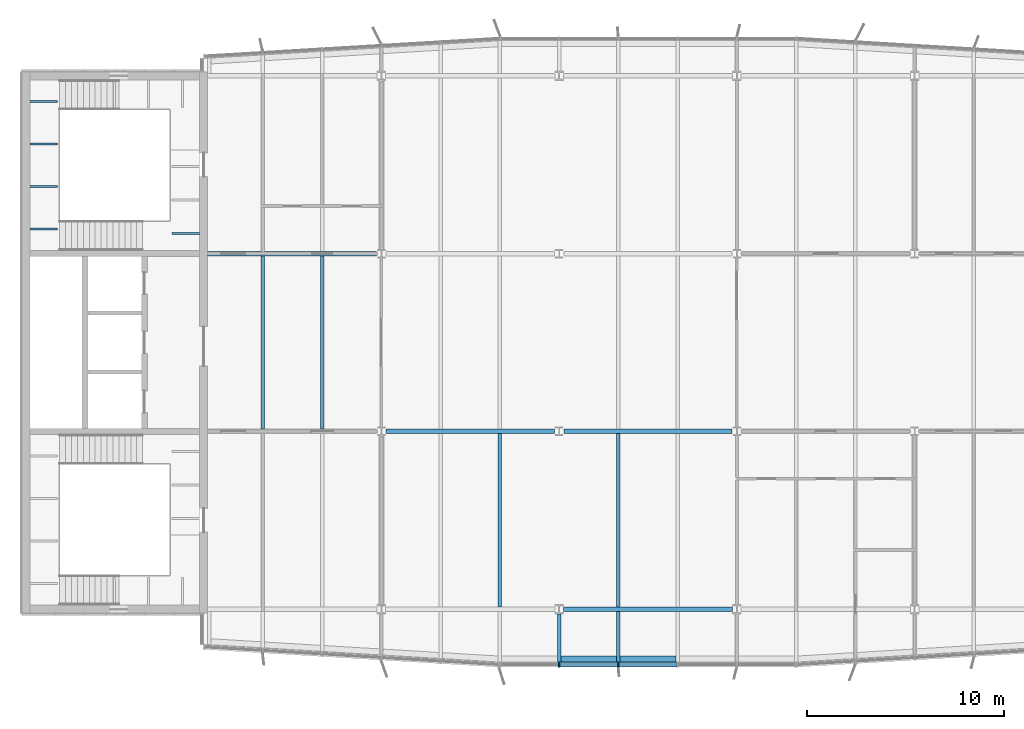
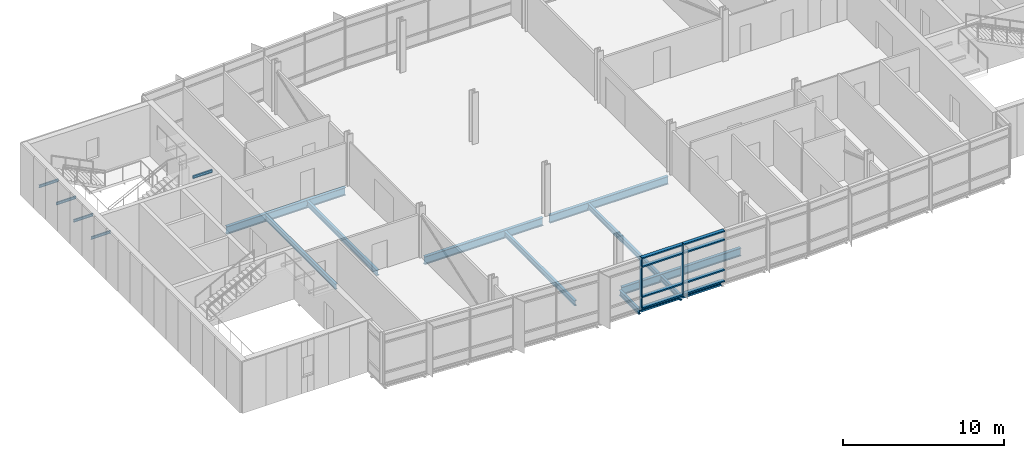
# One storey, part 3 of 21: 17 beams, 10 members, 1 element without a shape of its own.
"""IFC4 building model written with IfcOpenShell, lengths in metres."""

from ifc_helpers import new_model, si_unit, direction, frame, origin, origin_2d, place, context, subcontext, project, spatial, rectangle, i_section, extrude, material, material_profile, profile_set, type_object, element, aggregate, save


model = new_model("IFC4")

# Units and contexts
model_context = context("Model", 3, precision=1e-05, world=origin(), true_north=direction((0.0, 1.0)))
body_context = subcontext(model_context, "Body", "Model", "MODEL_VIEW")
ifc_project = project(units=[si_unit("LENGTHUNIT", "METRE"), si_unit("AREAUNIT", "SQUARE_METRE"), si_unit("VOLUMEUNIT", "CUBIC_METRE"), si_unit("PLANEANGLEUNIT", "RADIAN"), si_unit("MASSUNIT", "GRAM", prefix="KILO")], contexts=[model_context])

# Site, building, storey
site_placement = place(None, origin())
site = spatial("IfcSite", under=ifc_project, at=site_placement, CompositionType="ELEMENT")
building_placement = place(site_placement, origin())
building = spatial("IfcBuilding", under=site, at=building_placement, Name="Azimuth Sports and Learning Centre", CompositionType="ELEMENT")
storey_placement = place(building_placement, frame((0.0, 0.0, 32.39990234375)))
storey = spatial("IfcBuildingStorey", under=building, at=storey_placement, Name="L06", CompositionType="ELEMENT", Elevation=32.39990234375)

# Beams
ifc_material_1 = material(Name="Steel S355", Category="steel")
ifc_material_profile_1 = material_profile(ifc_material_1, i_section(OverallWidth=0.10009765625, OverallDepth=0.199951171875, WebThickness=0.005615234375, FlangeThickness=0.008544921875, FilletRadius=0.011962890625, at=origin_2d()), Name="IPE 200")
ifc_profile_set_1 = profile_set([ifc_material_profile_1], Name="Steel S355")
beam_type_1 = type_object("IfcBeamType", Name="Beam IPE 200", PredefinedType="BEAM", material=ifc_profile_set_1)
for number, where, z_axis, x_axis, name in (
    (1, (54.199951171875, 109.23876953125, 1.35009765625), (1.0, 0.0, 0.0), (0.0, 1.0, 0.0), "Landing bracket W2 L06 240"),
    (2, (54.199951171875, 111.396240234375, 1.35009765625), (1.0, 0.0, 0.0), (0.0, 1.0, 0.0), "Landing bracket W2 L06 241"),
    (3, (54.199951171875, 113.5537109375, 1.35009765625), (1.0, 0.0, 0.0), (0.0, 1.0, 0.0), "Landing bracket W2 L06 242"),
    (4, (54.199951171875, 115.711181640625, 1.35009765625), (1.0, 0.0, 0.0), (0.0, 1.0, 0.0), "Landing bracket W2 L06 243"),
    (5, (62.800048828125, 109.00830078125, 3.60009765625), (-1.0, 0.0, 0.0), (0.0, -1.0, 0.0), "Landing bracket W2 L06 244"),
):
    element("IfcBeam", number, at=place(storey_placement, frame(where, z_axis=z_axis, x_axis=x_axis)), inside=storey, type_object=beam_type_1, Name=name, PredefinedType="BEAM", context=body_context, shape_type="SweptSolid", body=[
        extrude(i_section(OverallWidth=0.10009765625, OverallDepth=0.199951171875, WebThickness=0.005615234375, FlangeThickness=0.008544921875, FilletRadius=0.011962890625, at=origin_2d()), origin(), (0.0, 0.0, 1.0), 1.41015625),
    ])
ifc_material_2 = material(Name="Steel S355", Category="steel")
ifc_material_profile_2 = material_profile(ifc_material_2, i_section(OverallWidth=0.219970703125, OverallDepth=0.60009765625, WebThickness=0.011962890625, FlangeThickness=0.01904296875, FilletRadius=0.02392578125, at=origin_2d()), Name="IPE 600")
ifc_profile_set_2 = profile_set([ifc_material_profile_2], Name="Steel S355")
beam_type_2 = type_object("IfcBeamType", Name="Beam IPE 600", PredefinedType="BEAM", material=ifc_profile_set_2)
beam_1_placement = place(storey_placement, frame((81.2119140625, 90.0, -0.429931640625), z_axis=(1.0, 0.0, 0.0), x_axis=(0.0, 1.0, 0.0)))
element("IfcBeam", 6, at=beam_1_placement, inside=storey, type_object=beam_type_2, Name="Tower girder L06", PredefinedType="BEAM", context=body_context, shape_type="SweptSolid", body=[
    extrude(i_section(OverallWidth=0.219970703125, OverallDepth=0.60009765625, WebThickness=0.011962890625, FlangeThickness=0.01904296875, FilletRadius=0.02392578125, at=origin_2d()), origin(), (0.0, 0.0, 1.0), 8.576171875),
])
for number, where, z_axis, x_axis, name in (
    (7, (72.238037109375, 99.0, -0.429931640625), (1.0, 0.0, 0.0), (0.0, 1.0, 0.0), "Tower girder L06"),
    (8, (81.238037109375, 99.0, -0.429931640625), (1.0, 0.0, 0.0), (0.0, 1.0, 0.0), "Tower girder L06"),
):
    element("IfcBeam", number, at=place(storey_placement, frame(where, z_axis=z_axis, x_axis=x_axis)), inside=storey, type_object=beam_type_2, Name=name, PredefinedType="BEAM", context=body_context, shape_type="SweptSolid", body=[
        extrude(i_section(OverallWidth=0.219970703125, OverallDepth=0.60009765625, WebThickness=0.011962890625, FlangeThickness=0.01904296875, FilletRadius=0.02392578125, at=origin_2d()), origin(), (0.0, 0.0, 1.0), 8.52392578125),
    ])
beam_2_placement = place(storey_placement, frame((63.199951171875, 108.0, -0.429931640625), z_axis=(1.0, 0.0, 0.0), x_axis=(0.0, 1.0, 0.0)))
element("IfcBeam", 9, at=beam_2_placement, inside=storey, type_object=beam_type_2, Name="Tower girder L06", PredefinedType="BEAM", context=body_context, shape_type="SweptSolid", body=[
    extrude(i_section(OverallWidth=0.219970703125, OverallDepth=0.60009765625, WebThickness=0.011962890625, FlangeThickness=0.01904296875, FilletRadius=0.02392578125, at=origin_2d()), origin(), (0.0, 0.0, 1.0), 8.56201171875),
])
ifc_material_3 = material(Name="Steel S355", Category="steel")
ifc_material_profile_3 = material_profile(ifc_material_3, i_section(OverallWidth=0.179931640625, OverallDepth=0.39990234375, WebThickness=0.008544921875, FlangeThickness=0.013427734375, FilletRadius=0.02099609375, at=origin_2d()), Name="IPE 400")
ifc_profile_set_3 = profile_set([ifc_material_profile_3], Name="Steel S355")
beam_type_3 = type_object("IfcBeamType", Name="Cantilever stub IPE 400", PredefinedType="JOIST", material=ifc_profile_set_3)
beam_3_placement = place(storey_placement, frame((81.0, 89.762939453125, -0.329833984375), z_axis=(0.0, -1.0, 0.0), x_axis=(1.0, 0.0, 0.0)))
element("IfcBeam", 10, at=beam_3_placement, inside=storey, type_object=beam_type_3, Name="Tower cantilever stub", PredefinedType="JOIST", context=body_context, shape_type="SweptSolid", body=[
    extrude(i_section(OverallWidth=0.179931640625, OverallDepth=0.39990234375, WebThickness=0.008544921875, FlangeThickness=0.013427734375, FilletRadius=0.02099609375, at=origin_2d()), origin(), (0.0, 0.0, 1.0), 2.44287109375),
])
beam_4_placement = place(storey_placement, frame((84.0, 89.889892578125, -0.329833984375), z_axis=(0.0, -1.0, 0.0), x_axis=(1.0, 0.0, 0.0)))
element("IfcBeam", 11, at=beam_4_placement, inside=storey, type_object=beam_type_3, Name="Tower cantilever stub", PredefinedType="JOIST", context=body_context, shape_type="SweptSolid", body=[
    extrude(i_section(OverallWidth=0.179931640625, OverallDepth=0.39990234375, WebThickness=0.008544921875, FlangeThickness=0.013427734375, FilletRadius=0.02099609375, at=origin_2d()), origin(), (0.0, 0.0, 1.0), 2.56982421875),
])
ifc_material_4 = material(Name="Steel S355", Category="steel")
ifc_material_profile_4 = material_profile(ifc_material_4, i_section(OverallWidth=0.300048828125, OverallDepth=0.2900390625, WebThickness=0.008544921875, FlangeThickness=0.013916015625, FilletRadius=0.027099609375, at=origin_2d()), Name="HEA 300")
ifc_profile_set_4 = profile_set([ifc_material_profile_4], Name="Steel S355")
beam_type_4 = type_object("IfcBeamType", Name="Edge beam HEA 300", PredefinedType="SPANDREL", material=ifc_profile_set_4)
for number, where, z_axis, x_axis, name in (
    (12, (81.090087890625, 87.469970703125, -0.27490234375), (1.0, 0.0, 0.0), (0.0, 1.0, 0.0), "Tower edge beam"),
    (13, (84.090087890625, 87.469970703125, -0.27490234375), (1.0, 0.0, 0.0), (0.0, 1.0, 0.0), "Tower edge beam"),
):
    element("IfcBeam", number, at=place(storey_placement, frame(where, z_axis=z_axis, x_axis=x_axis)), inside=storey, type_object=beam_type_4, Name=name, PredefinedType="SPANDREL", context=body_context, shape_type="SweptSolid", body=[
        extrude(i_section(OverallWidth=0.300048828125, OverallDepth=0.2900390625, WebThickness=0.008544921875, FlangeThickness=0.013916015625, FilletRadius=0.027099609375, at=origin_2d()), origin(), (0.0, 0.0, 1.0), 2.81982421875),
    ])
ifc_material_5 = material(Name="Steel S355", Category="steel")
ifc_material_profile_5 = material_profile(ifc_material_5, i_section(OverallWidth=0.179931640625, OverallDepth=0.39990234375, WebThickness=0.008544921875, FlangeThickness=0.013427734375, FilletRadius=0.02099609375, at=origin_2d()), Name="IPE 400")
ifc_profile_set_5 = profile_set([ifc_material_profile_5], Name="Steel S355")
beam_type_5 = type_object("IfcBeamType", Name="Joist IPE 400", PredefinedType="JOIST", material=ifc_profile_set_5)
for number, where, z_axis, x_axis, name in (
    (14, (66.0, 99.110107421875, -0.329833984375), (0.0, 1.0, 0.0), (-1.0, 0.0, 0.0), "Tower joist"),
    (15, (69.0, 99.110107421875, -0.329833984375), (0.0, 1.0, 0.0), (-1.0, 0.0, 0.0), "Tower joist"),
    (16, (78.0, 90.110107421875, -0.329833984375), (0.0, 1.0, 0.0), (-1.0, 0.0, 0.0), "Tower joist"),
    (17, (84.0, 90.110107421875, -0.329833984375), (0.0, 1.0, 0.0), (-1.0, 0.0, 0.0), "Tower joist"),
):
    element("IfcBeam", number, at=place(storey_placement, frame(where, z_axis=z_axis, x_axis=x_axis)), inside=storey, type_object=beam_type_5, Name=name, PredefinedType="JOIST", context=body_context, shape_type="SweptSolid", body=[
        extrude(i_section(OverallWidth=0.179931640625, OverallDepth=0.39990234375, WebThickness=0.008544921875, FlangeThickness=0.013427734375, FilletRadius=0.02099609375, at=origin_2d()), origin(), (0.0, 0.0, 1.0), 8.77978515625),
    ])

# Curtain wall, members
ifc_material_6 = material(Name="Aluminium and glass", Category="aluminium")
curtain_wall_type = type_object("IfcCurtainWallType", Name="Curtain wall tower south 240", PredefinedType="NOTDEFINED", material=ifc_material_6)
curtain_wall_placement = place(storey_placement, origin())
curtain_wall = element("IfcCurtainWall", 18, at=curtain_wall_placement, inside=storey, type_object=curtain_wall_type, Name="Curtain wall CW06-003", PredefinedType="NOTDEFINED")
ifc_material_7 = material(Name="Aluminium", Category="aluminium")
ifc_material_profile_6 = material_profile(ifc_material_7, rectangle(XDim=0.239990234375, YDim=0.070068359375, at=origin_2d()), Name="Mullion 70x240")
ifc_profile_set_6 = profile_set([ifc_material_profile_6], Name="Aluminium")
member_type_1 = type_object("IfcMemberType", Name="Mullion 70x240", PredefinedType="MULLION", material=ifc_profile_set_6)
member_1_placement = place(storey_placement, frame((81.0, 87.179931640625, 0.0), z_axis=(0.0, 0.0, 1.0), x_axis=(0.0, 1.0, 0.0)))
member_1 = element("IfcMember", 19, at=member_1_placement, type_object=member_type_1, Name="CW06-003 mullion 2", PredefinedType="MULLION", context=body_context, shape_type="SweptSolid", body=[
    extrude(rectangle(XDim=0.239990234375, YDim=0.070068359375, at=origin_2d()), origin(), (0.0, 0.0, 1.0), 3.900146484375),
])
member_2_placement = place(storey_placement, frame((84.0, 87.179931640625, 0.0), z_axis=(0.0, 0.0, 1.0), x_axis=(0.0, 1.0, 0.0)))
member_2 = element("IfcMember", 20, at=member_2_placement, type_object=member_type_1, Name="CW06-003 mullion 3", PredefinedType="MULLION", context=body_context, shape_type="SweptSolid", body=[
    extrude(rectangle(XDim=0.239990234375, YDim=0.070068359375, at=origin_2d()), origin(), (0.0, 0.0, 1.0), 3.900146484375),
])
ifc_material_8 = material(Name="Aluminium", Category="aluminium")
ifc_material_profile_7 = material_profile(ifc_material_8, rectangle(XDim=0.239990234375, YDim=0.10009765625, at=origin_2d()), Name="Transom 100x240")
ifc_profile_set_7 = profile_set([ifc_material_profile_7], Name="Aluminium")
member_type_2 = type_object("IfcMemberType", Name="Transom 100x240", PredefinedType="USERDEFINED", material=ifc_profile_set_7)
member_3_placement = place(storey_placement, frame((81.034912109375, 87.179931640625, 0.050048828125), z_axis=(1.0, 0.0, 0.0), x_axis=(0.0, 1.0, 0.0)))
member_3 = element("IfcMember", 21, at=member_3_placement, type_object=member_type_2, Name="CW06-003 transom 2.1", ObjectType="TRANSOM", PredefinedType="USERDEFINED", context=body_context, shape_type="SweptSolid", body=[
    extrude(rectangle(XDim=0.239990234375, YDim=0.10009765625, at=origin_2d()), origin(), (0.0, 0.0, 1.0), 2.93017578125),
])
member_4_placement = place(storey_placement, frame((81.034912109375, 87.179931640625, 0.900146484375), z_axis=(1.0, 0.0, 0.0), x_axis=(0.0, 1.0, 0.0)))
member_4 = element("IfcMember", 22, at=member_4_placement, type_object=member_type_2, Name="CW06-003 transom 2.2", ObjectType="TRANSOM", PredefinedType="USERDEFINED", context=body_context, shape_type="SweptSolid", body=[
    extrude(rectangle(XDim=0.239990234375, YDim=0.10009765625, at=origin_2d()), origin(), (0.0, 0.0, 1.0), 2.93017578125),
])
member_5_placement = place(storey_placement, frame((81.034912109375, 87.179931640625, 3.2001953125), z_axis=(1.0, 0.0, 0.0), x_axis=(0.0, 1.0, 0.0)))
member_5 = element("IfcMember", 23, at=member_5_placement, type_object=member_type_2, Name="CW06-003 transom 2.3", ObjectType="TRANSOM", PredefinedType="USERDEFINED", context=body_context, shape_type="SweptSolid", body=[
    extrude(rectangle(XDim=0.239990234375, YDim=0.10009765625, at=origin_2d()), origin(), (0.0, 0.0, 1.0), 2.93017578125),
])
member_6_placement = place(storey_placement, frame((81.034912109375, 87.179931640625, 3.85009765625), z_axis=(1.0, 0.0, 0.0), x_axis=(0.0, 1.0, 0.0)))
member_6 = element("IfcMember", 24, at=member_6_placement, type_object=member_type_2, Name="CW06-003 transom 2.4", ObjectType="TRANSOM", PredefinedType="USERDEFINED", context=body_context, shape_type="SweptSolid", body=[
    extrude(rectangle(XDim=0.239990234375, YDim=0.10009765625, at=origin_2d()), origin(), (0.0, 0.0, 1.0), 2.93017578125),
])
member_7_placement = place(storey_placement, frame((84.034912109375, 87.179931640625, 0.050048828125), z_axis=(1.0, 0.0, 0.0), x_axis=(0.0, 1.0, 0.0)))
member_7 = element("IfcMember", 25, at=member_7_placement, type_object=member_type_2, Name="CW06-003 transom 3.1", ObjectType="TRANSOM", PredefinedType="USERDEFINED", context=body_context, shape_type="SweptSolid", body=[
    extrude(rectangle(XDim=0.239990234375, YDim=0.10009765625, at=origin_2d()), origin(), (0.0, 0.0, 1.0), 2.93017578125),
])
member_8_placement = place(storey_placement, frame((84.034912109375, 87.179931640625, 0.900146484375), z_axis=(1.0, 0.0, 0.0), x_axis=(0.0, 1.0, 0.0)))
member_8 = element("IfcMember", 26, at=member_8_placement, type_object=member_type_2, Name="CW06-003 transom 3.2", ObjectType="TRANSOM", PredefinedType="USERDEFINED", context=body_context, shape_type="SweptSolid", body=[
    extrude(rectangle(XDim=0.239990234375, YDim=0.10009765625, at=origin_2d()), origin(), (0.0, 0.0, 1.0), 2.93017578125),
])
member_9_placement = place(storey_placement, frame((84.034912109375, 87.179931640625, 3.2001953125), z_axis=(1.0, 0.0, 0.0), x_axis=(0.0, 1.0, 0.0)))
member_9 = element("IfcMember", 27, at=member_9_placement, type_object=member_type_2, Name="CW06-003 transom 3.3", ObjectType="TRANSOM", PredefinedType="USERDEFINED", context=body_context, shape_type="SweptSolid", body=[
    extrude(rectangle(XDim=0.239990234375, YDim=0.10009765625, at=origin_2d()), origin(), (0.0, 0.0, 1.0), 2.93017578125),
])
member_10_placement = place(storey_placement, frame((84.034912109375, 87.179931640625, 3.85009765625), z_axis=(1.0, 0.0, 0.0), x_axis=(0.0, 1.0, 0.0)))
member_10 = element("IfcMember", 28, at=member_10_placement, type_object=member_type_2, Name="CW06-003 transom 3.4", ObjectType="TRANSOM", PredefinedType="USERDEFINED", context=body_context, shape_type="SweptSolid", body=[
    extrude(rectangle(XDim=0.239990234375, YDim=0.10009765625, at=origin_2d()), origin(), (0.0, 0.0, 1.0), 2.93017578125),
])
aggregate(curtain_wall, [member_1, member_2, member_3, member_4, member_5, member_6, member_7, member_8, member_9, member_10])

save(model, "model.ifc")
